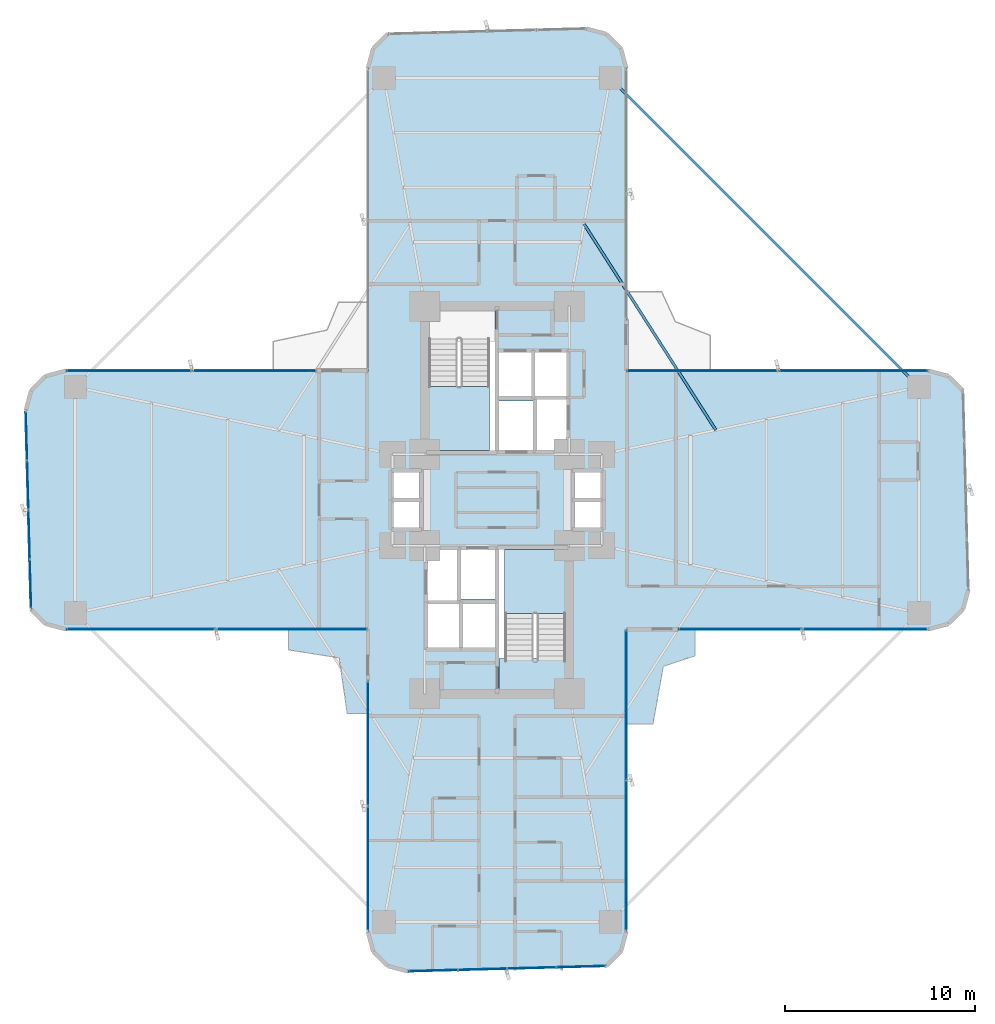
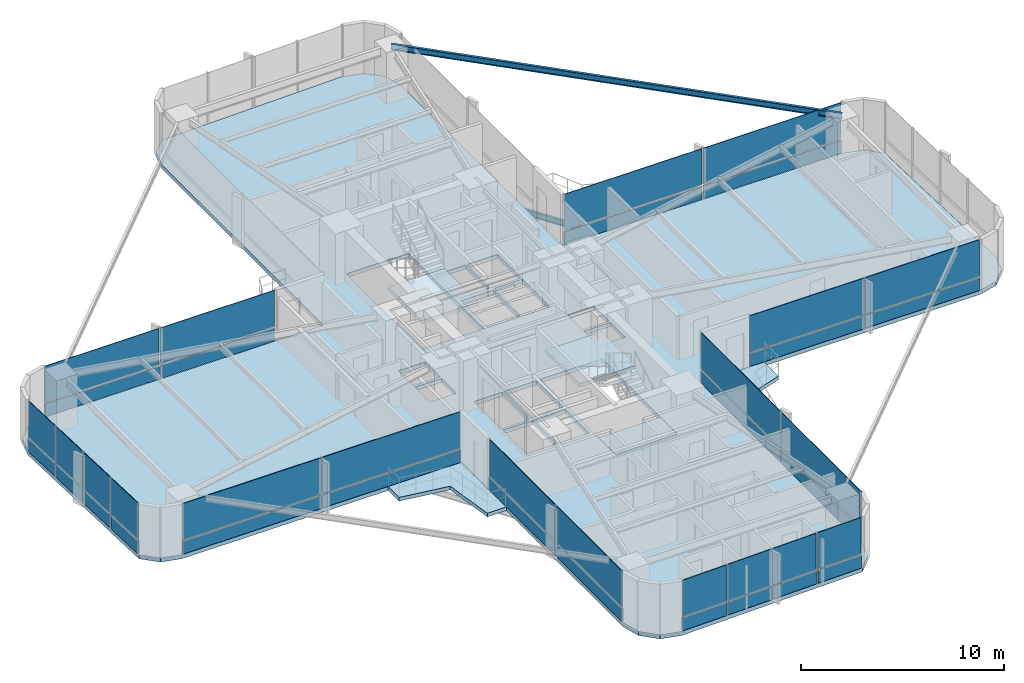
# One storey, part 20 of 25: 40 plates, 6 slabs, 2 beams, 10 elements without a shape of their own.
"""IFC4 building model written with IfcOpenShell, lengths in metres."""

from ifc_helpers import new_model, si_unit, direction, frame, origin, origin_2d, place, context, subcontext, project, spatial, polyline, rectangle, i_section, outline, extrude, source, transform, mapped, material, layer, layer_set, material_profile, profile_set, type_object, element, aggregate, save


model = new_model("IFC4")

# Units and contexts
model_context = context("Model", 3, precision=1e-05, world=origin(), true_north=direction((0.0, 1.0)))
body_context = subcontext(model_context, "Body", "Model", "MODEL_VIEW")
ifc_project = project(units=[si_unit("LENGTHUNIT", "METRE"), si_unit("AREAUNIT", "SQUARE_METRE"), si_unit("VOLUMEUNIT", "CUBIC_METRE"), si_unit("PLANEANGLEUNIT", "RADIAN"), si_unit("MASSUNIT", "GRAM", prefix="KILO")], contexts=[model_context])

# Site, building, storey
site_placement = place(None, origin())
site = spatial("IfcSite", under=ifc_project, at=site_placement, CompositionType="ELEMENT")
building_placement = place(site_placement, origin())
building = spatial("IfcBuilding", under=site, at=building_placement, Name="Sahyath Konkavel Grand Hotel", CompositionType="ELEMENT")
storey_placement = place(building_placement, frame((0.0, 0.0, 64.449951171875)))
storey = spatial("IfcBuildingStorey", under=building, at=storey_placement, Name="L17", CompositionType="ELEMENT", Elevation=64.449951171875)

# Beams
ifc_material_1 = material(Name="Steel E350", Category="steel")
ifc_material_profile_1 = material_profile(ifc_material_1, i_section(OverallWidth=0.139892578125, OverallDepth=0.35009765625, WebThickness=0.008056640625, FlangeThickness=0.01416015625, FilletRadius=0.013916015625, at=origin_2d()), Name="ISMB 350")
ifc_profile_set_1 = profile_set([ifc_material_profile_1], Name="Steel E350")
beam_type_1 = type_object("IfcBeamType", Name="BM-ISMB350", PredefinedType="BEAM", material=ifc_profile_set_1)
shared_shape_1 = source(origin(), body_context, "Body", "SweptSolid", [
    extrude(i_section(OverallWidth=0.139892578125, OverallDepth=0.35009765625, WebThickness=0.008056640625, FlangeThickness=0.01416015625, FilletRadius=0.013916015625, at=origin_2d()), origin(), (0.0, 0.0, 1.0), 22.98095703125),
])
beam_1_placement = place(storey_placement, frame((22.199951171875, 5.949951171875, 2.93505859375), z_axis=(-0.707106781187, 0.707106781187, 0.0), x_axis=(-0.707106781187, -0.707106781187, 0.0)))
element("IfcBeam", 1, at=beam_1_placement, inside=storey, type_object=beam_type_1, Name="L17 Re-Entrant Tie Beam NE", PredefinedType="BEAM", context=body_context, shape_type="MappedRepresentation", body=[
    mapped(shared_shape_1, transform((0.0, 0.0, 0.0), scale=1.0)),
])
ifc_material_profile_2 = material_profile(ifc_material_1, i_section(OverallWidth=0.139892578125, OverallDepth=0.35009765625, WebThickness=0.008056640625, FlangeThickness=0.01416015625, FilletRadius=0.013916015625, at=origin_2d()), Name="ISMB 350")
ifc_profile_set_2 = profile_set([ifc_material_profile_2], Name="Steel E350")
beam_type_2 = type_object("IfcBeamType", Name="BM-BALC-CANT", PredefinedType="BEAM", material=ifc_profile_set_2)
shared_shape_2 = source(origin(), body_context, "Body", "SweptSolid", [
    extrude(i_section(OverallWidth=0.139892578125, OverallDepth=0.35009765625, WebThickness=0.008056640625, FlangeThickness=0.01416015625, FilletRadius=0.013916015625, at=origin_2d()), origin(), (0.0, 0.0, 1.0), 12.871826171875),
])
beam_2_placement = place(storey_placement, frame((11.511962890625, 3.677978515625, -0.4150390625), z_axis=(-0.539003102535, 0.842303778608, 0.0), x_axis=(-0.842303778608, -0.539003102535, 0.0)))
element("IfcBeam", 2, at=beam_2_placement, inside=storey, type_object=beam_type_2, Name="L17 Balcony Cantilever Support Beam NE", PredefinedType="BEAM", context=body_context, shape_type="MappedRepresentation", body=[
    mapped(shared_shape_2, transform((0.0, 0.0, 0.0), scale=1.0)),
])

# Slabs
ifc_material_2 = material(Name="Concrete C40/50", Category="concrete")
ifc_layer_1 = layer(ifc_material_2, 0.239990234375)
ifc_layer_set_1 = layer_set([ifc_layer_1], Name="Concrete C40/50")
slab_type_1 = type_object("IfcSlabType", Name="SLB-240", PredefinedType="FLOOR", material=ifc_layer_set_1)
slab_1_placement = place(storey_placement, frame((0.0, 0.0, -0.239990234375)))
element("IfcSlab", 3, at=slab_1_placement, inside=storey, type_object=slab_type_1, Name="L17 Structural Floor Slab", PredefinedType="FLOOR", context=body_context, shape_type="SweptSolid", body=[
    extrude(outline(polyline([(6.800048828125, -6.800048828125), (22.699951171875, -6.800048828125), (23.75, -6.518798828125), (24.518798828125, -5.75), (24.800048828125, -4.699951171875), (24.518798828125, 5.75), (23.75, 6.518798828125), (22.699951171875, 6.800048828125), (6.800048828125, 6.800048828125), (6.800048828125, 22.699951171875), (6.518798828125, 23.75), (5.75, 24.518798828125), (4.699951171875, 24.800048828125), (-5.75, 24.518798828125), (-6.518798828125, 23.75), (-6.800048828125, 22.699951171875), (-6.800048828125, 6.800048828125), (-22.699951171875, 6.800048828125), (-23.75, 6.518798828125), (-24.518798828125, 5.75), (-24.800048828125, 4.699951171875), (-24.518798828125, -5.75), (-23.75, -6.518798828125), (-22.699951171875, -6.800048828125), (-6.800048828125, -6.800048828125), (-6.800048828125, -22.699951171875), (-6.518798828125, -23.75), (-5.75, -24.518798828125), (-4.699951171875, -24.800048828125), (5.75, -24.518798828125), (6.518798828125, -23.75), (6.800048828125, -22.699951171875), (6.800048828125, -6.800048828125)]), holes=[polyline([(-3.6201171875, 2.580078125), (-0.10009765625, 2.580078125), (-0.10009765625, 10.02001953125), (-3.6201171875, 10.02001953125), (-3.6201171875, 2.580078125)]), polyline([(0.10009765625, -10.02001953125), (3.6201171875, -10.02001953125), (3.6201171875, -2.580078125), (0.10009765625, -2.580078125), (0.10009765625, -10.02001953125)]), polyline([(0.10009765625, 2.60009765625), (1.949951171875, 2.60009765625), (1.949951171875, 5.199951171875), (0.10009765625, 5.199951171875), (0.10009765625, 2.60009765625)]), polyline([(-1.949951171875, -5.199951171875), (-0.10009765625, -5.199951171875), (-0.10009765625, -2.60009765625), (-1.949951171875, -2.60009765625), (-1.949951171875, -5.199951171875)]), polyline([(2.050048828125, 2.60009765625), (3.64990234375, 2.60009765625), (3.64990234375, 5.300048828125), (2.050048828125, 5.300048828125), (2.050048828125, 2.60009765625)]), polyline([(-3.64990234375, -5.300048828125), (-2.050048828125, -5.300048828125), (-2.050048828125, -2.60009765625), (-3.64990234375, -2.60009765625), (-3.64990234375, -5.300048828125)]), polyline([(0.10009765625, 5.449951171875), (1.85009765625, 5.449951171875), (1.85009765625, 7.75), (0.10009765625, 7.75), (0.10009765625, 5.449951171875)]), polyline([(1.949951171875, 5.449951171875), (3.64990234375, 5.449951171875), (3.64990234375, 7.75), (1.949951171875, 7.75), (1.949951171875, 5.449951171875)]), polyline([(-3.64990234375, -7.75), (-1.949951171875, -7.75), (-1.949951171875, -5.449951171875), (-3.64990234375, -5.449951171875), (-3.64990234375, -7.75)]), polyline([(-1.85009765625, -7.75), (-0.10009765625, -7.75), (-0.10009765625, -5.449951171875), (-1.85009765625, -5.449951171875), (-1.85009765625, -7.75)]), polyline([(4.050048828125, 0.080078125), (5.550048828125, 0.080078125), (5.550048828125, 1.5400390625), (4.050048828125, 1.5400390625), (4.050048828125, 0.080078125)]), polyline([(4.050048828125, -1.5400390625), (5.550048828125, -1.5400390625), (5.550048828125, -0.080078125), (4.050048828125, -0.080078125), (4.050048828125, -1.5400390625)]), polyline([(-5.550048828125, 0.080078125), (-4.050048828125, 0.080078125), (-4.050048828125, 1.5400390625), (-5.550048828125, 1.5400390625), (-5.550048828125, 0.080078125)]), polyline([(-5.550048828125, -1.5400390625), (-4.050048828125, -1.5400390625), (-4.050048828125, -0.080078125), (-5.550048828125, -0.080078125), (-5.550048828125, -1.5400390625)])]), origin(), (0.0, 0.0, 1.0), 0.239990234375),
])
ifc_layer_2 = layer(ifc_material_2, 0.219970703125)
ifc_layer_set_2 = layer_set([ifc_layer_2], Name="Concrete C40/50")
slab_type_2 = type_object("IfcSlabType", Name="SLB-BALCONY-220", PredefinedType="FLOOR", material=ifc_layer_set_2)
slab_2_placement = place(storey_placement, frame((0.0, 0.0, -0.219970703125)))
element("IfcSlab", 4, at=slab_2_placement, inside=storey, type_object=slab_type_2, Name="L17 Winter-Garden Balcony SW", PredefinedType="FLOOR", context=body_context, shape_type="SweptSolid", body=[
    extrude(outline(polyline([(-6.800048828125, -6.800048828125), (-10.968994140625, -6.800048828125), (-10.968994140625, -7.88720703125), (-8.31005859375, -8.31005859375), (-7.88720703125, -11.23095703125), (-6.800048828125, -11.23095703125), (-6.800048828125, -6.800048828125)])), origin(), (0.0, 0.0, 1.0), 0.219970703125),
])
slab_3_placement = place(storey_placement, frame((0.0, 0.0, -0.219970703125)))
element("IfcSlab", 5, at=slab_3_placement, inside=storey, type_object=slab_type_2, Name="L17 Winter-Garden Balcony SE", PredefinedType="FLOOR", context=body_context, shape_type="SweptSolid", body=[
    extrude(outline(polyline([(6.800048828125, -6.800048828125), (6.800048828125, -11.7880859375), (8.201904296875, -11.7880859375), (8.7470703125, -8.7470703125), (10.412109375, -8.201904296875), (10.412109375, -6.800048828125), (6.800048828125, -6.800048828125)])), origin(), (0.0, 0.0, 1.0), 0.219970703125),
])

# Stair, slab
stair_type = type_object("IfcStairType", Name="STR-ST16-335", PredefinedType="HALF_TURN_STAIR", material=ifc_material_2)
stair_1_placement = place(storey_placement, origin())
stair_1 = element("IfcStair", 6, at=stair_1_placement, inside=storey, type_object=stair_type, Name="L17 North Core Smokeproof Exit Stair ST-1", PredefinedType="HALF_TURN_STAIR")
ifc_layer_3 = layer(ifc_material_2, 0.199951171875)
ifc_layer_set_3 = layer_set([ifc_layer_3], Name="Concrete C40/50")
slab_type_3 = type_object("IfcSlabType", Name="SLB-STAIR-LND", PredefinedType="LANDING", material=ifc_layer_set_3)
slab_4_placement = place(storey_placement, frame((0.0, 0.0, 1.47509765625)))
slab_4 = element("IfcSlab", 7, at=slab_4_placement, type_object=slab_type_3, Name="ST-1 landing 1", PredefinedType="LANDING", context=body_context, shape_type="SweptSolid", body=[
    extrude(outline(polyline([(-3.60009765625, 5.9599609375), (-3.60009765625, 2.60009765625), (-0.39990234375, 2.60009765625), (-0.39990234375, 5.9599609375), (-3.60009765625, 5.9599609375)])), origin(), (0.0, 0.0, 1.0), 0.199951171875),
])
aggregate(stair_1, [slab_4])

stair_2_placement = place(storey_placement, origin())
stair_2 = element("IfcStair", 8, at=stair_2_placement, inside=storey, type_object=stair_type, Name="L17 South Core Smokeproof Exit Stair ST-2", PredefinedType="HALF_TURN_STAIR")
slab_5_placement = place(storey_placement, frame((0.0, 0.0, 1.47509765625)))
slab_5 = element("IfcSlab", 9, at=slab_5_placement, type_object=slab_type_3, Name="ST-2 landing 1", PredefinedType="LANDING", context=body_context, shape_type="SweptSolid", body=[
    extrude(outline(polyline([(3.60009765625, -5.9599609375), (3.60009765625, -2.60009765625), (0.39990234375, -2.60009765625), (0.39990234375, -5.9599609375), (3.60009765625, -5.9599609375)])), origin(), (0.0, 0.0, 1.0), 0.199951171875),
])
aggregate(stair_2, [slab_5])

# Slab
slab_6_placement = place(storey_placement, frame((0.0, 0.0, -0.199951171875)))
element("IfcSlab", 10, at=slab_6_placement, inside=storey, type_object=slab_type_3, Name="L17 Stair ST-2 Floor Landing Slab", PredefinedType="LANDING", context=body_context, shape_type="SweptSolid", body=[
    extrude(outline(polyline([(0.10009765625, -10.02001953125), (3.6201171875, -10.02001953125), (3.6201171875, -8.35009765625), (0.10009765625, -8.35009765625), (0.10009765625, -10.02001953125)])), origin(), (0.0, 0.0, 1.0), 0.199951171875),
])

# Curtain wall, plates
ifc_material_3 = material(Name="Anodised Bronze Aluminium & Low-E Glazing", Category="aluminium")
curtain_wall_type = type_object("IfcCurtainWallType", Name="CW-ZONE1", PredefinedType="NOTDEFINED", material=ifc_material_3)
curtain_wall_1_placement = place(storey_placement, origin())
curtain_wall_1 = element("IfcCurtainWall", 11, at=curtain_wall_1_placement, inside=storey, type_object=curtain_wall_type, Name="L17 Unitised Curtain Wall F7", PredefinedType="NOTDEFINED")
ifc_material_4 = material(Name="Warm Buff Sandstone Cladding", Category="masonry")
ifc_layer_4 = layer(ifc_material_4, 0.074951171875)
ifc_layer_set_4 = layer_set([ifc_layer_4], Name="Warm Buff Sandstone Cladding")
plate_type_1 = type_object("IfcPlateType", Name="PNL-SPANDREL-STONE", PredefinedType="SHEET", material=ifc_layer_set_4)
shared_shape_3 = source(origin(), body_context, "Body", "SweptSolid", [
    extrude(rectangle(XDim=7.830078125, YDim=0.074951171875, at=origin_2d()), origin(), (0.0, 0.0, 1.0), 0.77001953125),
])
plate_1_placement = place(storey_placement, frame((18.705078125, 6.800048828125, 0.0400390625), z_axis=(0.0, 0.0, 1.0), x_axis=(-1.0, 0.0, 0.0)))
plate_1 = element("IfcPlate", 12, at=plate_1_placement, type_object=plate_type_1, Name="L17 Sandstone Relief Spandrel Panel F7-0", PredefinedType="SHEET", context=body_context, shape_type="MappedRepresentation", body=[
    mapped(shared_shape_3, transform((0.0, 0.0, 0.0), scale=1.0)),
])
plate_2_placement = place(storey_placement, frame((10.794921875, 6.800048828125, 0.0400390625), z_axis=(0.0, 0.0, 1.0), x_axis=(-1.0, 0.0, 0.0)))
plate_2 = element("IfcPlate", 13, at=plate_2_placement, type_object=plate_type_1, Name="L17 Sandstone Relief Spandrel Panel F7-1", PredefinedType="SHEET", context=body_context, shape_type="MappedRepresentation", body=[
    mapped(shared_shape_3, transform((0.0, 0.0, 0.0), scale=1.0)),
])

curtain_wall_2_placement = place(storey_placement, origin())
curtain_wall_2 = element("IfcCurtainWall", 14, at=curtain_wall_2_placement, inside=storey, type_object=curtain_wall_type, Name="L17 Unitised Curtain Wall F23", PredefinedType="NOTDEFINED")
plate_3_placement = place(storey_placement, frame((-18.705078125, -6.800048828125, 0.0400390625), z_axis=(0.0, 0.0, 1.0), x_axis=(1.0, 0.0, 0.0)))
plate_3 = element("IfcPlate", 15, at=plate_3_placement, type_object=plate_type_1, Name="L17 Sandstone Relief Spandrel Panel F23-0", PredefinedType="SHEET", context=body_context, shape_type="MappedRepresentation", body=[
    mapped(shared_shape_3, transform((0.0, 0.0, 0.0), scale=1.0)),
])
plate_4_placement = place(storey_placement, frame((-10.794921875, -6.800048828125, 0.0400390625), z_axis=(0.0, 0.0, 1.0), x_axis=(1.0, 0.0, 0.0)))
plate_4 = element("IfcPlate", 16, at=plate_4_placement, type_object=plate_type_1, Name="L17 Sandstone Relief Spandrel Panel F23-1", PredefinedType="SHEET", context=body_context, shape_type="MappedRepresentation", body=[
    mapped(shared_shape_3, transform((0.0, 0.0, 0.0), scale=1.0)),
])

curtain_wall_3_placement = place(storey_placement, origin())
curtain_wall_3 = element("IfcCurtainWall", 17, at=curtain_wall_3_placement, inside=storey, type_object=curtain_wall_type, Name="L17 Unitised Curtain Wall F31", PredefinedType="NOTDEFINED")
plate_5_placement = place(storey_placement, frame((6.800048828125, -18.705078125, 0.0400390625), z_axis=(0.0, 0.0, 1.0), x_axis=(0.0, 1.0, 0.0)))
plate_5 = element("IfcPlate", 18, at=plate_5_placement, type_object=plate_type_1, Name="L17 Sandstone Relief Spandrel Panel F31-0", PredefinedType="SHEET", context=body_context, shape_type="MappedRepresentation", body=[
    mapped(shared_shape_3, transform((0.0, 0.0, 0.0), scale=1.0)),
])
plate_6_placement = place(storey_placement, frame((6.800048828125, -10.794921875, 0.0400390625), z_axis=(0.0, 0.0, 1.0), x_axis=(0.0, 1.0, 0.0)))
plate_6 = element("IfcPlate", 19, at=plate_6_placement, type_object=plate_type_1, Name="L17 Sandstone Relief Spandrel Panel F31-1", PredefinedType="SHEET", context=body_context, shape_type="MappedRepresentation", body=[
    mapped(shared_shape_3, transform((0.0, 0.0, 0.0), scale=1.0)),
])

# Plate
ifc_material_5 = material(Name="Low-E Solar Control Double Glazing", Category="glass")
ifc_layer_5 = layer(ifc_material_5, 0.035888671875)
ifc_layer_set_5 = layer_set([ifc_layer_5], Name="Low-E Solar Control Double Glazing")
plate_type_2 = type_object("IfcPlateType", Name="PNL-VISION-LOWE", PredefinedType="CURTAIN_PANEL", material=ifc_layer_set_5)
shared_shape_4 = source(origin(), body_context, "Body", "SweptSolid", [
    extrude(rectangle(XDim=7.830078125, YDim=0.035888671875, at=origin_2d()), origin(), (0.0, 0.0, 1.0), 2.179931640625),
])
plate_7_placement = place(storey_placement, frame((18.705078125, 6.800048828125, 0.89013671875), z_axis=(0.0, 0.0, 1.0), x_axis=(-1.0, 0.0, 0.0)))
plate_7 = element("IfcPlate", 20, at=plate_7_placement, type_object=plate_type_2, Name="L17 Low-E Vision Glazing Panel F7-0", PredefinedType="CURTAIN_PANEL", context=body_context, shape_type="MappedRepresentation", body=[
    mapped(shared_shape_4, transform((0.0, 0.0, 0.0), scale=1.0)),
])

plate_8_placement = place(storey_placement, frame((10.794921875, 6.800048828125, 0.89013671875), z_axis=(0.0, 0.0, 1.0), x_axis=(-1.0, 0.0, 0.0)))
plate_8 = element("IfcPlate", 21, at=plate_8_placement, type_object=plate_type_2, Name="L17 Low-E Vision Glazing Panel F7-1", PredefinedType="CURTAIN_PANEL", context=body_context, shape_type="MappedRepresentation", body=[
    mapped(shared_shape_4, transform((0.0, 0.0, 0.0), scale=1.0)),
])

aggregate(curtain_wall_1, [plate_1, plate_7, plate_2, plate_8])

plate_9_placement = place(storey_placement, frame((-18.705078125, -6.800048828125, 0.89013671875), z_axis=(0.0, 0.0, 1.0), x_axis=(1.0, 0.0, 0.0)))
plate_9 = element("IfcPlate", 22, at=plate_9_placement, type_object=plate_type_2, Name="L17 Low-E Vision Glazing Panel F23-0", PredefinedType="CURTAIN_PANEL", context=body_context, shape_type="MappedRepresentation", body=[
    mapped(shared_shape_4, transform((0.0, 0.0, 0.0), scale=1.0)),
])

plate_10_placement = place(storey_placement, frame((-10.794921875, -6.800048828125, 0.89013671875), z_axis=(0.0, 0.0, 1.0), x_axis=(1.0, 0.0, 0.0)))
plate_10 = element("IfcPlate", 23, at=plate_10_placement, type_object=plate_type_2, Name="L17 Low-E Vision Glazing Panel F23-1", PredefinedType="CURTAIN_PANEL", context=body_context, shape_type="MappedRepresentation", body=[
    mapped(shared_shape_4, transform((0.0, 0.0, 0.0), scale=1.0)),
])

aggregate(curtain_wall_2, [plate_3, plate_9, plate_4, plate_10])

plate_11_placement = place(storey_placement, frame((6.800048828125, -18.705078125, 0.89013671875), z_axis=(0.0, 0.0, 1.0), x_axis=(0.0, 1.0, 0.0)))
plate_11 = element("IfcPlate", 24, at=plate_11_placement, type_object=plate_type_2, Name="L17 Low-E Vision Glazing Panel F31-0", PredefinedType="CURTAIN_PANEL", context=body_context, shape_type="MappedRepresentation", body=[
    mapped(shared_shape_4, transform((0.0, 0.0, 0.0), scale=1.0)),
])

plate_12_placement = place(storey_placement, frame((6.800048828125, -10.794921875, 0.89013671875), z_axis=(0.0, 0.0, 1.0), x_axis=(0.0, 1.0, 0.0)))
plate_12 = element("IfcPlate", 25, at=plate_12_placement, type_object=plate_type_2, Name="L17 Low-E Vision Glazing Panel F31-1", PredefinedType="CURTAIN_PANEL", context=body_context, shape_type="MappedRepresentation", body=[
    mapped(shared_shape_4, transform((0.0, 0.0, 0.0), scale=1.0)),
])

aggregate(curtain_wall_3, [plate_5, plate_11, plate_6, plate_12])

# Curtain wall, plates
curtain_wall_4_placement = place(storey_placement, origin())
curtain_wall_4 = element("IfcCurtainWall", 26, at=curtain_wall_4_placement, inside=storey, type_object=curtain_wall_type, Name="L17 Unitised Curtain Wall F20", PredefinedType="NOTDEFINED")
shared_shape_5 = source(origin(), body_context, "Body", "SweptSolid", [
    extrude(rectangle(XDim=2.513427734375, YDim=0.074951171875, at=origin_2d()), origin(), (0.0, 0.0, 1.0), 0.77001953125),
])
plate_13_placement = place(storey_placement, frame((-24.763916015625, 3.36376953125, 0.0400390625), z_axis=(0.0, 0.0, 1.0), x_axis=(0.026909728301, -0.999637867691, 0.0)))
plate_13 = element("IfcPlate", 27, at=plate_13_placement, type_object=plate_type_1, Name="L17 Sandstone Relief Spandrel Panel F20-0", PredefinedType="SHEET", context=body_context, shape_type="MappedRepresentation", body=[
    mapped(shared_shape_5, transform((0.0, 0.0, 0.0), scale=1.0)),
])
plate_14_placement = place(storey_placement, frame((-24.694091796875, 0.771240234375, 0.0400390625), z_axis=(0.0, 0.0, 1.0), x_axis=(0.026909728301, -0.999637867691, 0.0)))
plate_14 = element("IfcPlate", 28, at=plate_14_placement, type_object=plate_type_1, Name="L17 Sandstone Relief Spandrel Panel F20-1", PredefinedType="SHEET", context=body_context, shape_type="MappedRepresentation", body=[
    mapped(shared_shape_5, transform((0.0, 0.0, 0.0), scale=1.0)),
])
plate_15_placement = place(storey_placement, frame((-24.62451171875, -1.8212890625, 0.0400390625), z_axis=(0.0, 0.0, 1.0), x_axis=(0.026909728301, -0.999637867691, 0.0)))
plate_15 = element("IfcPlate", 29, at=plate_15_placement, type_object=plate_type_1, Name="L17 Sandstone Relief Spandrel Panel F20-2", PredefinedType="SHEET", context=body_context, shape_type="MappedRepresentation", body=[
    mapped(shared_shape_5, transform((0.0, 0.0, 0.0), scale=1.0)),
])
plate_16_placement = place(storey_placement, frame((-24.5546875, -4.413818359375, 0.0400390625), z_axis=(0.0, 0.0, 1.0), x_axis=(0.026909728301, -0.999637867691, 0.0)))
plate_16 = element("IfcPlate", 30, at=plate_16_placement, type_object=plate_type_1, Name="L17 Sandstone Relief Spandrel Panel F20-3", PredefinedType="SHEET", context=body_context, shape_type="MappedRepresentation", body=[
    mapped(shared_shape_5, transform((0.0, 0.0, 0.0), scale=1.0)),
])

curtain_wall_5_placement = place(storey_placement, origin())
curtain_wall_5 = element("IfcCurtainWall", 31, at=curtain_wall_5_placement, inside=storey, type_object=curtain_wall_type, Name="L17 Unitised Curtain Wall F28", PredefinedType="NOTDEFINED")
plate_17_placement = place(storey_placement, frame((-3.36376953125, -24.763916015625, 0.0400390625), z_axis=(0.0, 0.0, 1.0), x_axis=(0.999637867691, 0.026909728301, 0.0)))
plate_17 = element("IfcPlate", 32, at=plate_17_placement, type_object=plate_type_1, Name="L17 Sandstone Relief Spandrel Panel F28-0", PredefinedType="SHEET", context=body_context, shape_type="MappedRepresentation", body=[
    mapped(shared_shape_5, transform((0.0, 0.0, 0.0), scale=1.0)),
])
plate_18_placement = place(storey_placement, frame((-0.771240234375, -24.694091796875, 0.0400390625), z_axis=(0.0, 0.0, 1.0), x_axis=(0.999637867691, 0.026909728301, 0.0)))
plate_18 = element("IfcPlate", 33, at=plate_18_placement, type_object=plate_type_1, Name="L17 Sandstone Relief Spandrel Panel F28-1", PredefinedType="SHEET", context=body_context, shape_type="MappedRepresentation", body=[
    mapped(shared_shape_5, transform((0.0, 0.0, 0.0), scale=1.0)),
])
plate_19_placement = place(storey_placement, frame((1.8212890625, -24.62451171875, 0.0400390625), z_axis=(0.0, 0.0, 1.0), x_axis=(0.999637867691, 0.026909728301, 0.0)))
plate_19 = element("IfcPlate", 34, at=plate_19_placement, type_object=plate_type_1, Name="L17 Sandstone Relief Spandrel Panel F28-2", PredefinedType="SHEET", context=body_context, shape_type="MappedRepresentation", body=[
    mapped(shared_shape_5, transform((0.0, 0.0, 0.0), scale=1.0)),
])
plate_20_placement = place(storey_placement, frame((4.413818359375, -24.5546875, 0.0400390625), z_axis=(0.0, 0.0, 1.0), x_axis=(0.999637867691, 0.026909728301, 0.0)))
plate_20 = element("IfcPlate", 35, at=plate_20_placement, type_object=plate_type_1, Name="L17 Sandstone Relief Spandrel Panel F28-3", PredefinedType="SHEET", context=body_context, shape_type="MappedRepresentation", body=[
    mapped(shared_shape_5, transform((0.0, 0.0, 0.0), scale=1.0)),
])

# Plate
shared_shape_6 = source(origin(), body_context, "Body", "SweptSolid", [
    extrude(rectangle(XDim=2.513427734375, YDim=0.035888671875, at=origin_2d()), origin(), (0.0, 0.0, 1.0), 2.179931640625),
])
plate_21_placement = place(storey_placement, frame((-24.763916015625, 3.36376953125, 0.89013671875), z_axis=(0.0, 0.0, 1.0), x_axis=(0.026909728301, -0.999637867691, 0.0)))
plate_21 = element("IfcPlate", 36, at=plate_21_placement, type_object=plate_type_2, Name="L17 Low-E Vision Glazing Panel F20-0", PredefinedType="CURTAIN_PANEL", context=body_context, shape_type="MappedRepresentation", body=[
    mapped(shared_shape_6, transform((0.0, 0.0, 0.0), scale=1.0)),
])

plate_22_placement = place(storey_placement, frame((-24.694091796875, 0.771240234375, 0.89013671875), z_axis=(0.0, 0.0, 1.0), x_axis=(0.026909728301, -0.999637867691, 0.0)))
plate_22 = element("IfcPlate", 37, at=plate_22_placement, type_object=plate_type_2, Name="L17 Low-E Vision Glazing Panel F20-1", PredefinedType="CURTAIN_PANEL", context=body_context, shape_type="MappedRepresentation", body=[
    mapped(shared_shape_6, transform((0.0, 0.0, 0.0), scale=1.0)),
])

plate_23_placement = place(storey_placement, frame((-24.62451171875, -1.8212890625, 0.89013671875), z_axis=(0.0, 0.0, 1.0), x_axis=(0.026909728301, -0.999637867691, 0.0)))
plate_23 = element("IfcPlate", 38, at=plate_23_placement, type_object=plate_type_2, Name="L17 Low-E Vision Glazing Panel F20-2", PredefinedType="CURTAIN_PANEL", context=body_context, shape_type="MappedRepresentation", body=[
    mapped(shared_shape_6, transform((0.0, 0.0, 0.0), scale=1.0)),
])

plate_24_placement = place(storey_placement, frame((-24.5546875, -4.413818359375, 0.89013671875), z_axis=(0.0, 0.0, 1.0), x_axis=(0.026909728301, -0.999637867691, 0.0)))
plate_24 = element("IfcPlate", 39, at=plate_24_placement, type_object=plate_type_2, Name="L17 Low-E Vision Glazing Panel F20-3", PredefinedType="CURTAIN_PANEL", context=body_context, shape_type="MappedRepresentation", body=[
    mapped(shared_shape_6, transform((0.0, 0.0, 0.0), scale=1.0)),
])

aggregate(curtain_wall_4, [plate_13, plate_21, plate_14, plate_22, plate_15, plate_23, plate_16, plate_24])

plate_25_placement = place(storey_placement, frame((-3.36376953125, -24.763916015625, 0.89013671875), z_axis=(0.0, 0.0, 1.0), x_axis=(0.999637867691, 0.026909728301, 0.0)))
plate_25 = element("IfcPlate", 40, at=plate_25_placement, type_object=plate_type_2, Name="L17 Low-E Vision Glazing Panel F28-0", PredefinedType="CURTAIN_PANEL", context=body_context, shape_type="MappedRepresentation", body=[
    mapped(shared_shape_6, transform((0.0, 0.0, 0.0), scale=1.0)),
])

plate_26_placement = place(storey_placement, frame((-0.771240234375, -24.694091796875, 0.89013671875), z_axis=(0.0, 0.0, 1.0), x_axis=(0.999637867691, 0.026909728301, 0.0)))
plate_26 = element("IfcPlate", 41, at=plate_26_placement, type_object=plate_type_2, Name="L17 Low-E Vision Glazing Panel F28-1", PredefinedType="CURTAIN_PANEL", context=body_context, shape_type="MappedRepresentation", body=[
    mapped(shared_shape_6, transform((0.0, 0.0, 0.0), scale=1.0)),
])

plate_27_placement = place(storey_placement, frame((1.8212890625, -24.62451171875, 0.89013671875), z_axis=(0.0, 0.0, 1.0), x_axis=(0.999637867691, 0.026909728301, 0.0)))
plate_27 = element("IfcPlate", 42, at=plate_27_placement, type_object=plate_type_2, Name="L17 Low-E Vision Glazing Panel F28-2", PredefinedType="CURTAIN_PANEL", context=body_context, shape_type="MappedRepresentation", body=[
    mapped(shared_shape_6, transform((0.0, 0.0, 0.0), scale=1.0)),
])

plate_28_placement = place(storey_placement, frame((4.413818359375, -24.5546875, 0.89013671875), z_axis=(0.0, 0.0, 1.0), x_axis=(0.999637867691, 0.026909728301, 0.0)))
plate_28 = element("IfcPlate", 43, at=plate_28_placement, type_object=plate_type_2, Name="L17 Low-E Vision Glazing Panel F28-3", PredefinedType="CURTAIN_PANEL", context=body_context, shape_type="MappedRepresentation", body=[
    mapped(shared_shape_6, transform((0.0, 0.0, 0.0), scale=1.0)),
])

aggregate(curtain_wall_5, [plate_17, plate_25, plate_18, plate_26, plate_19, plate_27, plate_20, plate_28])

# Curtain wall, plates
curtain_wall_6_placement = place(storey_placement, origin())
curtain_wall_6 = element("IfcCurtainWall", 44, at=curtain_wall_6_placement, inside=storey, type_object=curtain_wall_type, Name="L17 Unitised Curtain Wall F0", PredefinedType="NOTDEFINED")
shared_shape_7 = source(origin(), body_context, "Body", "SweptSolid", [
    extrude(rectangle(XDim=6.47998046875, YDim=0.074951171875, at=origin_2d()), origin(), (0.0, 0.0, 1.0), 0.77001953125),
])
plate_29_placement = place(storey_placement, frame((12.820068359375, -6.800048828125, 0.0400390625), z_axis=(0.0, 0.0, 1.0), x_axis=(1.0, 0.0, 0.0)))
plate_29 = element("IfcPlate", 45, at=plate_29_placement, type_object=plate_type_1, Name="L17 Sandstone Relief Spandrel Panel F0-0", PredefinedType="SHEET", context=body_context, shape_type="MappedRepresentation", body=[
    mapped(shared_shape_7, transform((0.0, 0.0, 0.0), scale=1.0)),
])
plate_30_placement = place(storey_placement, frame((19.3798828125, -6.800048828125, 0.0400390625), z_axis=(0.0, 0.0, 1.0), x_axis=(1.0, 0.0, 0.0)))
plate_30 = element("IfcPlate", 46, at=plate_30_placement, type_object=plate_type_1, Name="L17 Sandstone Relief Spandrel Panel F0-1", PredefinedType="SHEET", context=body_context, shape_type="MappedRepresentation", body=[
    mapped(shared_shape_7, transform((0.0, 0.0, 0.0), scale=1.0)),
])

curtain_wall_7_placement = place(storey_placement, origin())
curtain_wall_7 = element("IfcCurtainWall", 47, at=curtain_wall_7_placement, inside=storey, type_object=curtain_wall_type, Name="L17 Unitised Curtain Wall F16", PredefinedType="NOTDEFINED")
plate_31_placement = place(storey_placement, frame((-12.820068359375, 6.800048828125, 0.0400390625), z_axis=(0.0, 0.0, 1.0), x_axis=(-1.0, 0.0, 0.0)))
plate_31 = element("IfcPlate", 48, at=plate_31_placement, type_object=plate_type_1, Name="L17 Sandstone Relief Spandrel Panel F16-0", PredefinedType="SHEET", context=body_context, shape_type="MappedRepresentation", body=[
    mapped(shared_shape_7, transform((0.0, 0.0, 0.0), scale=1.0)),
])
plate_32_placement = place(storey_placement, frame((-19.3798828125, 6.800048828125, 0.0400390625), z_axis=(0.0, 0.0, 1.0), x_axis=(-1.0, 0.0, 0.0)))
plate_32 = element("IfcPlate", 49, at=plate_32_placement, type_object=plate_type_1, Name="L17 Sandstone Relief Spandrel Panel F16-1", PredefinedType="SHEET", context=body_context, shape_type="MappedRepresentation", body=[
    mapped(shared_shape_7, transform((0.0, 0.0, 0.0), scale=1.0)),
])

curtain_wall_8_placement = place(storey_placement, origin())
curtain_wall_8 = element("IfcCurtainWall", 50, at=curtain_wall_8_placement, inside=storey, type_object=curtain_wall_type, Name="L17 Unitised Curtain Wall F24", PredefinedType="NOTDEFINED")
plate_33_placement = place(storey_placement, frame((-6.800048828125, -12.820068359375, 0.0400390625), z_axis=(0.0, 0.0, 1.0), x_axis=(0.0, -1.0, 0.0)))
plate_33 = element("IfcPlate", 51, at=plate_33_placement, type_object=plate_type_1, Name="L17 Sandstone Relief Spandrel Panel F24-0", PredefinedType="SHEET", context=body_context, shape_type="MappedRepresentation", body=[
    mapped(shared_shape_7, transform((0.0, 0.0, 0.0), scale=1.0)),
])
plate_34_placement = place(storey_placement, frame((-6.800048828125, -19.3798828125, 0.0400390625), z_axis=(0.0, 0.0, 1.0), x_axis=(0.0, -1.0, 0.0)))
plate_34 = element("IfcPlate", 52, at=plate_34_placement, type_object=plate_type_1, Name="L17 Sandstone Relief Spandrel Panel F24-1", PredefinedType="SHEET", context=body_context, shape_type="MappedRepresentation", body=[
    mapped(shared_shape_7, transform((0.0, 0.0, 0.0), scale=1.0)),
])

# Plate
shared_shape_8 = source(origin(), body_context, "Body", "SweptSolid", [
    extrude(rectangle(XDim=6.47998046875, YDim=0.035888671875, at=origin_2d()), origin(), (0.0, 0.0, 1.0), 2.179931640625),
])
plate_35_placement = place(storey_placement, frame((12.820068359375, -6.800048828125, 0.89013671875), z_axis=(0.0, 0.0, 1.0), x_axis=(1.0, 0.0, 0.0)))
plate_35 = element("IfcPlate", 53, at=plate_35_placement, type_object=plate_type_2, Name="L17 Low-E Vision Glazing Panel F0-0", PredefinedType="CURTAIN_PANEL", context=body_context, shape_type="MappedRepresentation", body=[
    mapped(shared_shape_8, transform((0.0, 0.0, 0.0), scale=1.0)),
])

plate_36_placement = place(storey_placement, frame((19.3798828125, -6.800048828125, 0.89013671875), z_axis=(0.0, 0.0, 1.0), x_axis=(1.0, 0.0, 0.0)))
plate_36 = element("IfcPlate", 54, at=plate_36_placement, type_object=plate_type_2, Name="L17 Low-E Vision Glazing Panel F0-1", PredefinedType="CURTAIN_PANEL", context=body_context, shape_type="MappedRepresentation", body=[
    mapped(shared_shape_8, transform((0.0, 0.0, 0.0), scale=1.0)),
])

aggregate(curtain_wall_6, [plate_29, plate_35, plate_30, plate_36])

plate_37_placement = place(storey_placement, frame((-12.820068359375, 6.800048828125, 0.89013671875), z_axis=(0.0, 0.0, 1.0), x_axis=(-1.0, 0.0, 0.0)))
plate_37 = element("IfcPlate", 55, at=plate_37_placement, type_object=plate_type_2, Name="L17 Low-E Vision Glazing Panel F16-0", PredefinedType="CURTAIN_PANEL", context=body_context, shape_type="MappedRepresentation", body=[
    mapped(shared_shape_8, transform((0.0, 0.0, 0.0), scale=1.0)),
])

plate_38_placement = place(storey_placement, frame((-19.3798828125, 6.800048828125, 0.89013671875), z_axis=(0.0, 0.0, 1.0), x_axis=(-1.0, 0.0, 0.0)))
plate_38 = element("IfcPlate", 56, at=plate_38_placement, type_object=plate_type_2, Name="L17 Low-E Vision Glazing Panel F16-1", PredefinedType="CURTAIN_PANEL", context=body_context, shape_type="MappedRepresentation", body=[
    mapped(shared_shape_8, transform((0.0, 0.0, 0.0), scale=1.0)),
])

aggregate(curtain_wall_7, [plate_31, plate_37, plate_32, plate_38])

plate_39_placement = place(storey_placement, frame((-6.800048828125, -12.820068359375, 0.89013671875), z_axis=(0.0, 0.0, 1.0), x_axis=(0.0, -1.0, 0.0)))
plate_39 = element("IfcPlate", 57, at=plate_39_placement, type_object=plate_type_2, Name="L17 Low-E Vision Glazing Panel F24-0", PredefinedType="CURTAIN_PANEL", context=body_context, shape_type="MappedRepresentation", body=[
    mapped(shared_shape_8, transform((0.0, 0.0, 0.0), scale=1.0)),
])

plate_40_placement = place(storey_placement, frame((-6.800048828125, -19.3798828125, 0.89013671875), z_axis=(0.0, 0.0, 1.0), x_axis=(0.0, -1.0, 0.0)))
plate_40 = element("IfcPlate", 58, at=plate_40_placement, type_object=plate_type_2, Name="L17 Low-E Vision Glazing Panel F24-1", PredefinedType="CURTAIN_PANEL", context=body_context, shape_type="MappedRepresentation", body=[
    mapped(shared_shape_8, transform((0.0, 0.0, 0.0), scale=1.0)),
])

aggregate(curtain_wall_8, [plate_33, plate_39, plate_34, plate_40])

save(model, "model.ifc")
